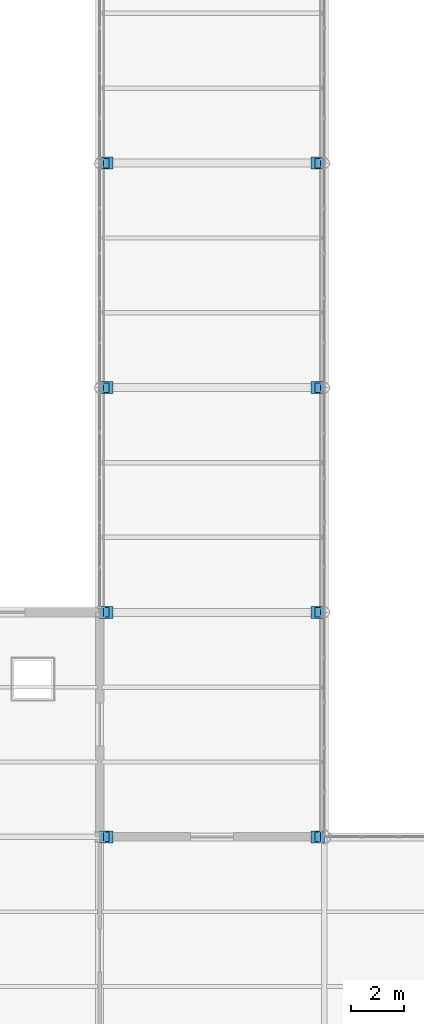
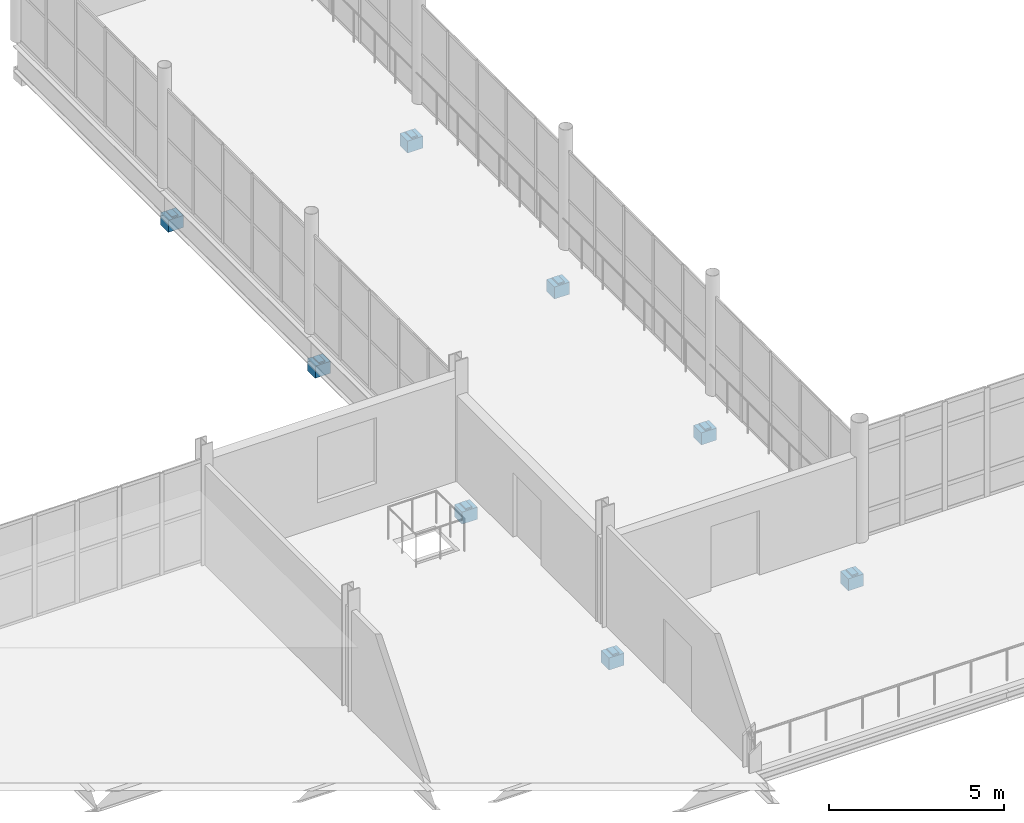
# One storey, part 143 of 163: 16 discrete accessories.
"""IFC4 building model written with IfcOpenShell, lengths in metres."""

from ifc_helpers import new_model, si_unit, direction, frame, origin, origin_2d, place, context, subcontext, project, spatial, rectangle, extrude, material, type_object, element, save


model = new_model("IFC4")

# Units and contexts
model_context = context("Model", 3, precision=1e-05, world=origin(), true_north=direction((0.0, 1.0)))
body_context = subcontext(model_context, "Body", "Model", "MODEL_VIEW")
ifc_project = project(units=[si_unit("LENGTHUNIT", "METRE"), si_unit("AREAUNIT", "SQUARE_METRE"), si_unit("VOLUMEUNIT", "CUBIC_METRE"), si_unit("PLANEANGLEUNIT", "RADIAN"), si_unit("MASSUNIT", "GRAM", prefix="KILO")], contexts=[model_context])

# Site, building, storey
site_placement = place(None, origin())
site = spatial("IfcSite", under=ifc_project, at=site_placement, CompositionType="ELEMENT")
building_placement = place(site_placement, origin())
building = spatial("IfcBuilding", under=site, at=building_placement, Name="Qalvenar Corner Mobility Hub", CompositionType="ELEMENT")
storey_placement = place(building_placement, frame((0.0, 0.0, 4.800048828125)))
storey = spatial("IfcBuildingStorey", under=building, at=storey_placement, Name="L01", CompositionType="ELEMENT", Elevation=4.800048828125)

# Discrete accessories
ifc_material = material(Name="Steel S355", Category="steel")
discrete_accessory_type_1 = type_object("IfcDiscreteAccessoryType", Name="ACC-BRG-CORBEL", PredefinedType="SHOE", material=ifc_material)
for number, where, z_axis, x_axis, name in (
    (1, (50.64990234375, 33.60009765625, -1.530029296875), (0.0, 0.0, 1.0), (1.0, 0.0, 0.0), "Link Bridge 500mm Seated Corbel L01-W-33"),
    (2, (58.550048828125, 33.60009765625, -1.530029296875), (0.0, 0.0, 1.0), (1.0, 0.0, 0.0), "Link Bridge 500mm Seated Corbel L01-E-33"),
    (3, (50.64990234375, 42.0, -1.530029296875), (0.0, 0.0, 1.0), (1.0, 0.0, 0.0), "Link Bridge 500mm Seated Corbel L01-W-42"),
    (4, (58.550048828125, 42.0, -1.530029296875), (0.0, 0.0, 1.0), (1.0, 0.0, 0.0), "Link Bridge 500mm Seated Corbel L01-E-42"),
    (5, (50.64990234375, 50.39990234375, -1.530029296875), (0.0, 0.0, 1.0), (1.0, 0.0, 0.0), "Link Bridge 500mm Seated Corbel L01-W-50"),
    (6, (58.550048828125, 50.39990234375, -1.530029296875), (0.0, 0.0, 1.0), (1.0, 0.0, 0.0), "Link Bridge 500mm Seated Corbel L01-E-50"),
    (7, (50.64990234375, 58.800048828125, -1.530029296875), (0.0, 0.0, 1.0), (1.0, 0.0, 0.0), "Link Bridge 500mm Seated Corbel L01-W-58"),
    (8, (58.550048828125, 58.800048828125, -1.530029296875), (0.0, 0.0, 1.0), (1.0, 0.0, 0.0), "Link Bridge 500mm Seated Corbel L01-E-58"),
):
    element("IfcDiscreteAccessory", number, at=place(storey_placement, frame(where, z_axis=z_axis, x_axis=x_axis)), inside=storey, type_object=discrete_accessory_type_1, Name=name, PredefinedType="SHOE", context=body_context, shape_type="SweptSolid", body=[
        extrude(rectangle(XDim=0.5, YDim=0.449951171875, at=origin_2d()), origin(), (0.0, 0.0, 1.0), 0.419921875),
    ])
discrete_accessory_type_2 = type_object("IfcDiscreteAccessoryType", Name="ACC-BRG-PAD", PredefinedType="SHOE", material=ifc_material)
for number, where, z_axis, x_axis, name in (
    (9, (50.64990234375, 33.60009765625, -1.125), (0.0, 0.0, 1.0), (1.0, 0.0, 0.0), "Link Bridge 200mm Sliding Bearing L01-W-33"),
    (10, (58.550048828125, 33.60009765625, -1.125), (0.0, 0.0, 1.0), (1.0, 0.0, 0.0), "Link Bridge 200mm Sliding Bearing L01-E-33"),
    (11, (50.64990234375, 42.0, -1.125), (0.0, 0.0, 1.0), (1.0, 0.0, 0.0), "Link Bridge 200mm Sliding Bearing L01-W-42"),
    (12, (58.550048828125, 42.0, -1.125), (0.0, 0.0, 1.0), (1.0, 0.0, 0.0), "Link Bridge 200mm Sliding Bearing L01-E-42"),
    (13, (50.64990234375, 50.39990234375, -1.125), (0.0, 0.0, 1.0), (1.0, 0.0, 0.0), "Link Bridge 200mm Sliding Bearing L01-W-50"),
    (14, (58.550048828125, 50.39990234375, -1.125), (0.0, 0.0, 1.0), (1.0, 0.0, 0.0), "Link Bridge 200mm Sliding Bearing L01-E-50"),
    (15, (50.64990234375, 58.800048828125, -1.125), (0.0, 0.0, 1.0), (1.0, 0.0, 0.0), "Link Bridge 200mm Sliding Bearing L01-W-58"),
    (16, (58.550048828125, 58.800048828125, -1.125), (0.0, 0.0, 1.0), (1.0, 0.0, 0.0), "Link Bridge 200mm Sliding Bearing L01-E-58"),
):
    element("IfcDiscreteAccessory", number, at=place(storey_placement, frame(where, z_axis=z_axis, x_axis=x_axis)), inside=storey, type_object=discrete_accessory_type_2, Name=name, PredefinedType="SHOE", context=body_context, shape_type="SweptSolid", body=[
        extrude(rectangle(XDim=0.199951171875, YDim=0.35009765625, at=origin_2d()), origin(), (0.0, 0.0, 1.0), 0.06005859375),
    ])

save(model, "model.ifc")
